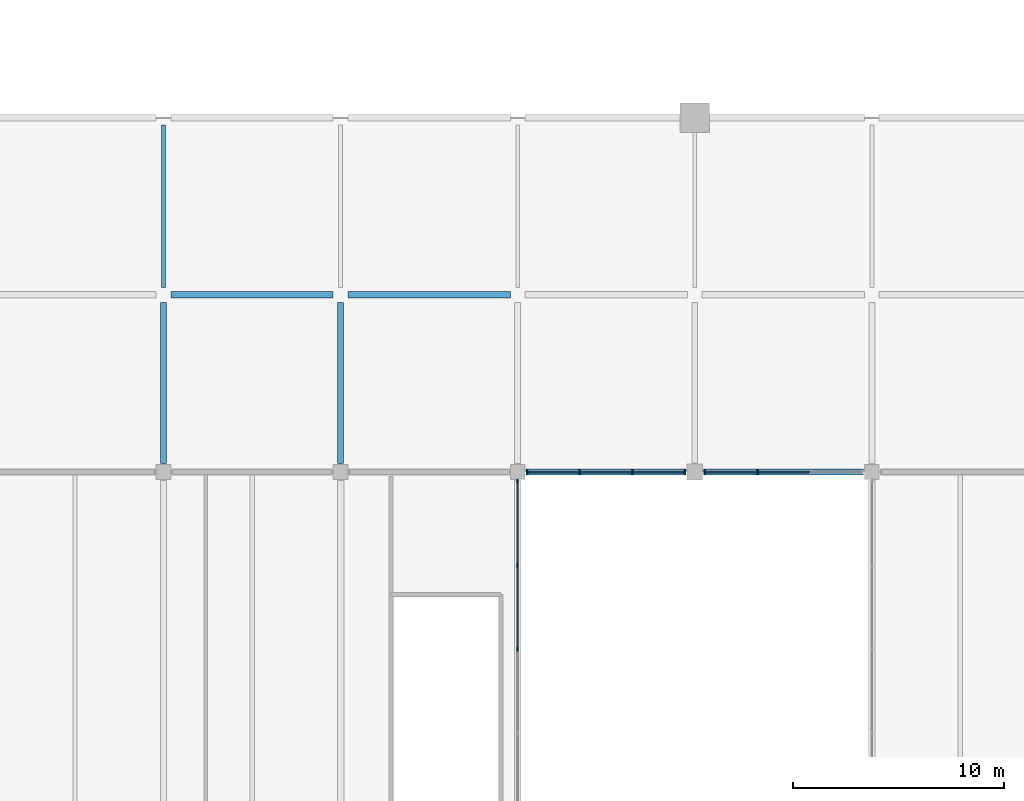
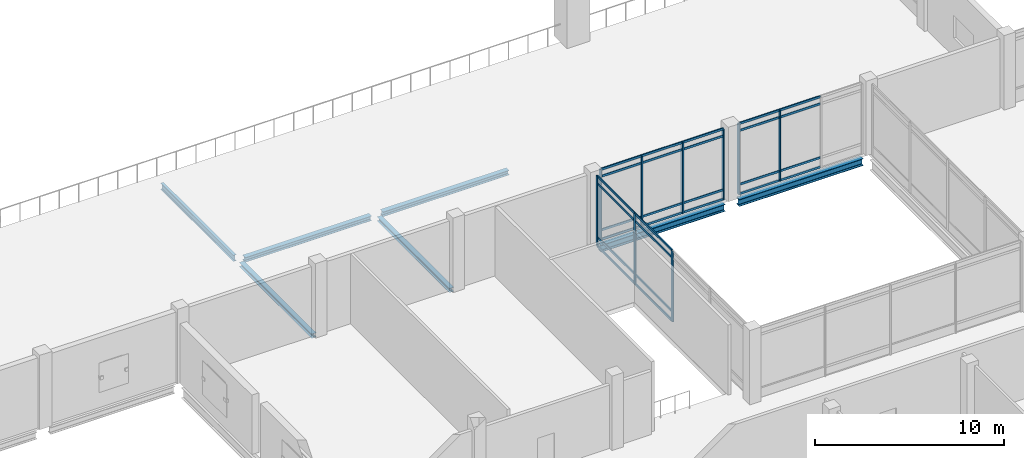
# One storey, part 5 of 110: 37 members, 7 beams, 3 elements without a shape of their own.
"""IFC4 building model written with IfcOpenShell, lengths in metres."""

from ifc_helpers import new_model, si_unit, direction, frame, origin, origin_2d, place, context, subcontext, project, spatial, rectangle, i_section, extrude, material, layer, layer_set, material_profile, profile_set, type_object, element, aggregate, save


model = new_model("IFC4")

# Units and contexts
model_context = context("Model", 3, precision=1e-05, world=origin(), true_north=direction((0.0, 1.0)))
body_context = subcontext(model_context, "Body", "Model", "MODEL_VIEW")
ifc_project = project(units=[si_unit("LENGTHUNIT", "METRE"), si_unit("AREAUNIT", "SQUARE_METRE"), si_unit("VOLUMEUNIT", "CUBIC_METRE"), si_unit("PLANEANGLEUNIT", "RADIAN"), si_unit("MASSUNIT", "GRAM", prefix="KILO")], contexts=[model_context])

# Site, building, storey
site_placement = place(None, origin())
site = spatial("IfcSite", under=ifc_project, at=site_placement, CompositionType="ELEMENT")
building_placement = place(site_placement, origin())
building = spatial("IfcBuilding", under=site, at=building_placement, Name="Qawsi Khor Wholesale Market", CompositionType="ELEMENT")
storey_placement = place(building_placement, frame((0.0, 0.0, 11.39990234375)))
storey = spatial("IfcBuildingStorey", under=building, at=storey_placement, Name="L02", CompositionType="ELEMENT", Elevation=11.39990234375)

# Curtain wall, members
ifc_material_1 = material(Name="Aluminium Anodised Bronze", Category="aluminium")
ifc_layer = layer(ifc_material_1, 0.179931640625, Name="Aluminium Anodised Bronze")
ifc_layer_set = layer_set([ifc_layer], Name="Aluminium Anodised Bronze")
curtain_wall_type = type_object("IfcCurtainWallType", Name="Atrium Full-Height Curtain Wall CW-02", PredefinedType="NOTDEFINED", material=ifc_layer_set)
curtain_wall_1_placement = place(storey_placement, origin())
curtain_wall_1 = element("IfcCurtainWall", 1, at=curtain_wall_1_placement, inside=storey, type_object=curtain_wall_type, Name="Curtain wall CW-CW-02-L02-022", PredefinedType="NOTDEFINED")
ifc_material_profile_1 = material_profile(ifc_material_1, rectangle(XDim=0.070068359375, YDim=0.199951171875, at=origin_2d()), Name="ALU MULLION 70x200")
ifc_profile_set_1 = profile_set([ifc_material_profile_1], Name="Aluminium Anodised Bronze")
member_type_1 = type_object("IfcMemberType", Name="Curtain Wall Mullion CW-02 ALU MULLION 70x200", PredefinedType="MULLION", material=ifc_profile_set_1)
member_1_placement = place(storey_placement, frame((50.844970703125, 42.0, -0.02001953125), z_axis=(0.0, 0.0, 1.0), x_axis=(1.0, 0.0, 0.0)))
member_1 = element("IfcMember", 2, at=member_1_placement, type_object=member_type_1, Name="Mullion CW-CW-02-L02-022-M00", PredefinedType="MULLION", context=body_context, shape_type="SweptSolid", body=[
    extrude(rectangle(XDim=0.070068359375, YDim=0.199951171875, at=origin_2d()), origin(), (0.0, 0.0, 1.0), 4.5400390625),
])
member_2_placement = place(storey_placement, frame((53.340087890625, 42.0, -0.02001953125), z_axis=(0.0, 0.0, 1.0), x_axis=(1.0, 0.0, 0.0)))
member_2 = element("IfcMember", 3, at=member_2_placement, type_object=member_type_1, Name="Mullion CW-CW-02-L02-022-M01", PredefinedType="MULLION", context=body_context, shape_type="SweptSolid", body=[
    extrude(rectangle(XDim=0.070068359375, YDim=0.199951171875, at=origin_2d()), origin(), (0.0, 0.0, 1.0), 4.5400390625),
])
member_3_placement = place(storey_placement, frame((55.8349609375, 42.0, -0.02001953125), z_axis=(0.0, 0.0, 1.0), x_axis=(1.0, 0.0, 0.0)))
member_3 = element("IfcMember", 4, at=member_3_placement, type_object=member_type_1, Name="Mullion CW-CW-02-L02-022-M02", PredefinedType="MULLION", context=body_context, shape_type="SweptSolid", body=[
    extrude(rectangle(XDim=0.070068359375, YDim=0.199951171875, at=origin_2d()), origin(), (0.0, 0.0, 1.0), 4.5400390625),
])
member_4_placement = place(storey_placement, frame((58.330078125, 42.0, -0.02001953125), z_axis=(0.0, 0.0, 1.0), x_axis=(1.0, 0.0, 0.0)))
member_4 = element("IfcMember", 5, at=member_4_placement, type_object=member_type_1, Name="Mullion CW-CW-02-L02-022-M03", PredefinedType="MULLION", context=body_context, shape_type="SweptSolid", body=[
    extrude(rectangle(XDim=0.070068359375, YDim=0.199951171875, at=origin_2d()), origin(), (0.0, 0.0, 1.0), 4.5400390625),
])

curtain_wall_2_placement = place(storey_placement, origin())
curtain_wall_2 = element("IfcCurtainWall", 6, at=curtain_wall_2_placement, inside=storey, type_object=curtain_wall_type, Name="Curtain wall CW-CW-02-L02-023", PredefinedType="NOTDEFINED")
member_5_placement = place(storey_placement, frame((59.27001953125, 42.0, -0.02001953125), z_axis=(0.0, 0.0, 1.0), x_axis=(1.0, 0.0, 0.0)))
member_5 = element("IfcMember", 7, at=member_5_placement, type_object=member_type_1, Name="Mullion CW-CW-02-L02-023-M00", PredefinedType="MULLION", context=body_context, shape_type="SweptSolid", body=[
    extrude(rectangle(XDim=0.070068359375, YDim=0.199951171875, at=origin_2d()), origin(), (0.0, 0.0, 1.0), 4.5400390625),
])
member_6_placement = place(storey_placement, frame((61.764892578125, 42.0, -0.02001953125), z_axis=(0.0, 0.0, 1.0), x_axis=(1.0, 0.0, 0.0)))
member_6 = element("IfcMember", 8, at=member_6_placement, type_object=member_type_1, Name="Mullion CW-CW-02-L02-023-M01", PredefinedType="MULLION", context=body_context, shape_type="SweptSolid", body=[
    extrude(rectangle(XDim=0.070068359375, YDim=0.199951171875, at=origin_2d()), origin(), (0.0, 0.0, 1.0), 4.5400390625),
])

curtain_wall_3_placement = place(storey_placement, origin())
curtain_wall_3 = element("IfcCurtainWall", 9, at=curtain_wall_3_placement, inside=storey, type_object=curtain_wall_type, Name="Curtain wall CW-CW-02-L02-024", PredefinedType="NOTDEFINED")
member_7_placement = place(storey_placement, frame((50.39990234375, 33.60009765625, -0.02001953125), z_axis=(0.0, 0.0, 1.0), x_axis=(1.0, 0.0, 0.0)))
member_7 = element("IfcMember", 10, at=member_7_placement, type_object=member_type_1, Name="Mullion CW-CW-02-L02-024-M02", PredefinedType="MULLION", context=body_context, shape_type="SweptSolid", body=[
    extrude(rectangle(XDim=0.070068359375, YDim=0.199951171875, at=origin_2d()), origin(), (0.0, 0.0, 1.0), 4.5400390625),
])
member_8_placement = place(storey_placement, frame((50.39990234375, 37.577392578125, -0.02001953125), z_axis=(0.0, 0.0, 1.0), x_axis=(1.0, 0.0, 0.0)))
member_8 = element("IfcMember", 11, at=member_8_placement, type_object=member_type_1, Name="Mullion CW-CW-02-L02-024-M03", PredefinedType="MULLION", context=body_context, shape_type="SweptSolid", body=[
    extrude(rectangle(XDim=0.070068359375, YDim=0.199951171875, at=origin_2d()), origin(), (0.0, 0.0, 1.0), 4.5400390625),
])
member_9_placement = place(storey_placement, frame((50.39990234375, 41.554931640625, -0.02001953125), z_axis=(0.0, 0.0, 1.0), x_axis=(1.0, 0.0, 0.0)))
member_9 = element("IfcMember", 12, at=member_9_placement, type_object=member_type_1, Name="Mullion CW-CW-02-L02-024-M04", PredefinedType="MULLION", context=body_context, shape_type="SweptSolid", body=[
    extrude(rectangle(XDim=0.070068359375, YDim=0.199951171875, at=origin_2d()), origin(), (0.0, 0.0, 1.0), 4.5400390625),
])

# Member
ifc_material_profile_2 = material_profile(ifc_material_1, rectangle(XDim=0.06494140625, YDim=0.139892578125, at=origin_2d()), Name="ALU TRANSOM 65x140")
ifc_profile_set_2 = profile_set([ifc_material_profile_2], Name="Aluminium Anodised Bronze")
member_type_2 = type_object("IfcMemberType", Name="Curtain Wall Transom CW-02 ALU TRANSOM 65x140", PredefinedType="USERDEFINED", material=ifc_profile_set_2)
member_10_placement = place(storey_placement, frame((50.844970703125, 42.0, 0.0), z_axis=(1.0, 0.0, 0.0), x_axis=(0.0, 1.0, 0.0)))
member_10 = element("IfcMember", 13, at=member_10_placement, type_object=member_type_2, Name="Transom CW-CW-02-L02-022-T0_00", ObjectType="TRANSOM", PredefinedType="USERDEFINED", context=body_context, shape_type="SweptSolid", body=[
    extrude(rectangle(XDim=0.06494140625, YDim=0.139892578125, at=origin_2d()), origin(), (0.0, 0.0, 1.0), 2.4951171875),
])

member_11_placement = place(storey_placement, frame((53.340087890625, 42.0, 0.0), z_axis=(1.0, 0.0, 0.0), x_axis=(0.0, 1.0, 0.0)))
member_11 = element("IfcMember", 14, at=member_11_placement, type_object=member_type_2, Name="Transom CW-CW-02-L02-022-T0_01", ObjectType="TRANSOM", PredefinedType="USERDEFINED", context=body_context, shape_type="SweptSolid", body=[
    extrude(rectangle(XDim=0.06494140625, YDim=0.139892578125, at=origin_2d()), origin(), (0.0, 0.0, 1.0), 2.494873046875),
])

member_12_placement = place(storey_placement, frame((55.8349609375, 42.0, 0.0), z_axis=(1.0, 0.0, 0.0), x_axis=(0.0, 1.0, 0.0)))
member_12 = element("IfcMember", 15, at=member_12_placement, type_object=member_type_2, Name="Transom CW-CW-02-L02-022-T0_02", ObjectType="TRANSOM", PredefinedType="USERDEFINED", context=body_context, shape_type="SweptSolid", body=[
    extrude(rectangle(XDim=0.06494140625, YDim=0.139892578125, at=origin_2d()), origin(), (0.0, 0.0, 1.0), 2.4951171875),
])

member_13_placement = place(storey_placement, frame((50.844970703125, 42.0, 0.60009765625), z_axis=(1.0, 0.0, 0.0), x_axis=(0.0, 1.0, 0.0)))
member_13 = element("IfcMember", 16, at=member_13_placement, type_object=member_type_2, Name="Transom CW-CW-02-L02-022-T1_00", ObjectType="TRANSOM", PredefinedType="USERDEFINED", context=body_context, shape_type="SweptSolid", body=[
    extrude(rectangle(XDim=0.06494140625, YDim=0.139892578125, at=origin_2d()), origin(), (0.0, 0.0, 1.0), 2.4951171875),
])

member_14_placement = place(storey_placement, frame((53.340087890625, 42.0, 0.60009765625), z_axis=(1.0, 0.0, 0.0), x_axis=(0.0, 1.0, 0.0)))
member_14 = element("IfcMember", 17, at=member_14_placement, type_object=member_type_2, Name="Transom CW-CW-02-L02-022-T1_01", ObjectType="TRANSOM", PredefinedType="USERDEFINED", context=body_context, shape_type="SweptSolid", body=[
    extrude(rectangle(XDim=0.06494140625, YDim=0.139892578125, at=origin_2d()), origin(), (0.0, 0.0, 1.0), 2.494873046875),
])

member_15_placement = place(storey_placement, frame((55.8349609375, 42.0, 0.60009765625), z_axis=(1.0, 0.0, 0.0), x_axis=(0.0, 1.0, 0.0)))
member_15 = element("IfcMember", 18, at=member_15_placement, type_object=member_type_2, Name="Transom CW-CW-02-L02-022-T1_02", ObjectType="TRANSOM", PredefinedType="USERDEFINED", context=body_context, shape_type="SweptSolid", body=[
    extrude(rectangle(XDim=0.06494140625, YDim=0.139892578125, at=origin_2d()), origin(), (0.0, 0.0, 1.0), 2.4951171875),
])

member_16_placement = place(storey_placement, frame((50.844970703125, 42.0, 4.070068359375), z_axis=(1.0, 0.0, 0.0), x_axis=(0.0, 1.0, 0.0)))
member_16 = element("IfcMember", 19, at=member_16_placement, type_object=member_type_2, Name="Transom CW-CW-02-L02-022-T2_00", ObjectType="TRANSOM", PredefinedType="USERDEFINED", context=body_context, shape_type="SweptSolid", body=[
    extrude(rectangle(XDim=0.06494140625, YDim=0.139892578125, at=origin_2d()), origin(), (0.0, 0.0, 1.0), 2.4951171875),
])

member_17_placement = place(storey_placement, frame((53.340087890625, 42.0, 4.070068359375), z_axis=(1.0, 0.0, 0.0), x_axis=(0.0, 1.0, 0.0)))
member_17 = element("IfcMember", 20, at=member_17_placement, type_object=member_type_2, Name="Transom CW-CW-02-L02-022-T2_01", ObjectType="TRANSOM", PredefinedType="USERDEFINED", context=body_context, shape_type="SweptSolid", body=[
    extrude(rectangle(XDim=0.06494140625, YDim=0.139892578125, at=origin_2d()), origin(), (0.0, 0.0, 1.0), 2.494873046875),
])

member_18_placement = place(storey_placement, frame((55.8349609375, 42.0, 4.070068359375), z_axis=(1.0, 0.0, 0.0), x_axis=(0.0, 1.0, 0.0)))
member_18 = element("IfcMember", 21, at=member_18_placement, type_object=member_type_2, Name="Transom CW-CW-02-L02-022-T2_02", ObjectType="TRANSOM", PredefinedType="USERDEFINED", context=body_context, shape_type="SweptSolid", body=[
    extrude(rectangle(XDim=0.06494140625, YDim=0.139892578125, at=origin_2d()), origin(), (0.0, 0.0, 1.0), 2.4951171875),
])

member_19_placement = place(storey_placement, frame((50.844970703125, 42.0, 4.52001953125), z_axis=(1.0, 0.0, 0.0), x_axis=(0.0, 1.0, 0.0)))
member_19 = element("IfcMember", 22, at=member_19_placement, type_object=member_type_2, Name="Transom CW-CW-02-L02-022-T3_00", ObjectType="TRANSOM", PredefinedType="USERDEFINED", context=body_context, shape_type="SweptSolid", body=[
    extrude(rectangle(XDim=0.06494140625, YDim=0.139892578125, at=origin_2d()), origin(), (0.0, 0.0, 1.0), 2.4951171875),
])

member_20_placement = place(storey_placement, frame((53.340087890625, 42.0, 4.52001953125), z_axis=(1.0, 0.0, 0.0), x_axis=(0.0, 1.0, 0.0)))
member_20 = element("IfcMember", 23, at=member_20_placement, type_object=member_type_2, Name="Transom CW-CW-02-L02-022-T3_01", ObjectType="TRANSOM", PredefinedType="USERDEFINED", context=body_context, shape_type="SweptSolid", body=[
    extrude(rectangle(XDim=0.06494140625, YDim=0.139892578125, at=origin_2d()), origin(), (0.0, 0.0, 1.0), 2.494873046875),
])

member_21_placement = place(storey_placement, frame((55.8349609375, 42.0, 4.52001953125), z_axis=(1.0, 0.0, 0.0), x_axis=(0.0, 1.0, 0.0)))
member_21 = element("IfcMember", 24, at=member_21_placement, type_object=member_type_2, Name="Transom CW-CW-02-L02-022-T3_02", ObjectType="TRANSOM", PredefinedType="USERDEFINED", context=body_context, shape_type="SweptSolid", body=[
    extrude(rectangle(XDim=0.06494140625, YDim=0.139892578125, at=origin_2d()), origin(), (0.0, 0.0, 1.0), 2.4951171875),
])

aggregate(curtain_wall_1, [member_1, member_2, member_3, member_4, member_10, member_11, member_12, member_13, member_14, member_15, member_16, member_17, member_18, member_19, member_20, member_21])

member_22_placement = place(storey_placement, frame((59.27001953125, 42.0, 0.0), z_axis=(1.0, 0.0, 0.0), x_axis=(0.0, 1.0, 0.0)))
member_22 = element("IfcMember", 25, at=member_22_placement, type_object=member_type_2, Name="Transom CW-CW-02-L02-023-T0_00", ObjectType="TRANSOM", PredefinedType="USERDEFINED", context=body_context, shape_type="SweptSolid", body=[
    extrude(rectangle(XDim=0.06494140625, YDim=0.139892578125, at=origin_2d()), origin(), (0.0, 0.0, 1.0), 2.494873046875),
])

member_23_placement = place(storey_placement, frame((61.764892578125, 42.0, 0.0), z_axis=(1.0, 0.0, 0.0), x_axis=(0.0, 1.0, 0.0)))
member_23 = element("IfcMember", 26, at=member_23_placement, type_object=member_type_2, Name="Transom CW-CW-02-L02-023-T0_01", ObjectType="TRANSOM", PredefinedType="USERDEFINED", context=body_context, shape_type="SweptSolid", body=[
    extrude(rectangle(XDim=0.06494140625, YDim=0.139892578125, at=origin_2d()), origin(), (0.0, 0.0, 1.0), 2.4951171875),
])

member_24_placement = place(storey_placement, frame((59.27001953125, 42.0, 0.60009765625), z_axis=(1.0, 0.0, 0.0), x_axis=(0.0, 1.0, 0.0)))
member_24 = element("IfcMember", 27, at=member_24_placement, type_object=member_type_2, Name="Transom CW-CW-02-L02-023-T1_00", ObjectType="TRANSOM", PredefinedType="USERDEFINED", context=body_context, shape_type="SweptSolid", body=[
    extrude(rectangle(XDim=0.06494140625, YDim=0.139892578125, at=origin_2d()), origin(), (0.0, 0.0, 1.0), 2.494873046875),
])

member_25_placement = place(storey_placement, frame((61.764892578125, 42.0, 0.60009765625), z_axis=(1.0, 0.0, 0.0), x_axis=(0.0, 1.0, 0.0)))
member_25 = element("IfcMember", 28, at=member_25_placement, type_object=member_type_2, Name="Transom CW-CW-02-L02-023-T1_01", ObjectType="TRANSOM", PredefinedType="USERDEFINED", context=body_context, shape_type="SweptSolid", body=[
    extrude(rectangle(XDim=0.06494140625, YDim=0.139892578125, at=origin_2d()), origin(), (0.0, 0.0, 1.0), 2.4951171875),
])

member_26_placement = place(storey_placement, frame((59.27001953125, 42.0, 4.070068359375), z_axis=(1.0, 0.0, 0.0), x_axis=(0.0, 1.0, 0.0)))
member_26 = element("IfcMember", 29, at=member_26_placement, type_object=member_type_2, Name="Transom CW-CW-02-L02-023-T2_00", ObjectType="TRANSOM", PredefinedType="USERDEFINED", context=body_context, shape_type="SweptSolid", body=[
    extrude(rectangle(XDim=0.06494140625, YDim=0.139892578125, at=origin_2d()), origin(), (0.0, 0.0, 1.0), 2.494873046875),
])

member_27_placement = place(storey_placement, frame((61.764892578125, 42.0, 4.070068359375), z_axis=(1.0, 0.0, 0.0), x_axis=(0.0, 1.0, 0.0)))
member_27 = element("IfcMember", 30, at=member_27_placement, type_object=member_type_2, Name="Transom CW-CW-02-L02-023-T2_01", ObjectType="TRANSOM", PredefinedType="USERDEFINED", context=body_context, shape_type="SweptSolid", body=[
    extrude(rectangle(XDim=0.06494140625, YDim=0.139892578125, at=origin_2d()), origin(), (0.0, 0.0, 1.0), 2.4951171875),
])

member_28_placement = place(storey_placement, frame((59.27001953125, 42.0, 4.52001953125), z_axis=(1.0, 0.0, 0.0), x_axis=(0.0, 1.0, 0.0)))
member_28 = element("IfcMember", 31, at=member_28_placement, type_object=member_type_2, Name="Transom CW-CW-02-L02-023-T3_00", ObjectType="TRANSOM", PredefinedType="USERDEFINED", context=body_context, shape_type="SweptSolid", body=[
    extrude(rectangle(XDim=0.06494140625, YDim=0.139892578125, at=origin_2d()), origin(), (0.0, 0.0, 1.0), 2.494873046875),
])

member_29_placement = place(storey_placement, frame((61.764892578125, 42.0, 4.52001953125), z_axis=(1.0, 0.0, 0.0), x_axis=(0.0, 1.0, 0.0)))
member_29 = element("IfcMember", 32, at=member_29_placement, type_object=member_type_2, Name="Transom CW-CW-02-L02-023-T3_01", ObjectType="TRANSOM", PredefinedType="USERDEFINED", context=body_context, shape_type="SweptSolid", body=[
    extrude(rectangle(XDim=0.06494140625, YDim=0.139892578125, at=origin_2d()), origin(), (0.0, 0.0, 1.0), 2.4951171875),
])

aggregate(curtain_wall_2, [member_5, member_6, member_22, member_23, member_24, member_25, member_26, member_27, member_28, member_29])

member_30_placement = place(storey_placement, frame((50.39990234375, 33.60009765625, 0.0), z_axis=(0.0, 1.0, 0.0), x_axis=(-1.0, 0.0, 0.0)))
member_30 = element("IfcMember", 33, at=member_30_placement, type_object=member_type_2, Name="Transom CW-CW-02-L02-024-T0_02", ObjectType="TRANSOM", PredefinedType="USERDEFINED", context=body_context, shape_type="SweptSolid", body=[
    extrude(rectangle(XDim=0.06494140625, YDim=0.139892578125, at=origin_2d()), origin(), (0.0, 0.0, 1.0), 3.977294921875),
])

member_31_placement = place(storey_placement, frame((50.39990234375, 37.577392578125, 0.0), z_axis=(0.0, 1.0, 0.0), x_axis=(-1.0, 0.0, 0.0)))
member_31 = element("IfcMember", 34, at=member_31_placement, type_object=member_type_2, Name="Transom CW-CW-02-L02-024-T0_03", ObjectType="TRANSOM", PredefinedType="USERDEFINED", context=body_context, shape_type="SweptSolid", body=[
    extrude(rectangle(XDim=0.06494140625, YDim=0.139892578125, at=origin_2d()), origin(), (0.0, 0.0, 1.0), 3.9775390625),
])

member_32_placement = place(storey_placement, frame((50.39990234375, 33.60009765625, 0.60009765625), z_axis=(0.0, 1.0, 0.0), x_axis=(-1.0, 0.0, 0.0)))
member_32 = element("IfcMember", 35, at=member_32_placement, type_object=member_type_2, Name="Transom CW-CW-02-L02-024-T1_02", ObjectType="TRANSOM", PredefinedType="USERDEFINED", context=body_context, shape_type="SweptSolid", body=[
    extrude(rectangle(XDim=0.06494140625, YDim=0.139892578125, at=origin_2d()), origin(), (0.0, 0.0, 1.0), 3.977294921875),
])

member_33_placement = place(storey_placement, frame((50.39990234375, 37.577392578125, 0.60009765625), z_axis=(0.0, 1.0, 0.0), x_axis=(-1.0, 0.0, 0.0)))
member_33 = element("IfcMember", 36, at=member_33_placement, type_object=member_type_2, Name="Transom CW-CW-02-L02-024-T1_03", ObjectType="TRANSOM", PredefinedType="USERDEFINED", context=body_context, shape_type="SweptSolid", body=[
    extrude(rectangle(XDim=0.06494140625, YDim=0.139892578125, at=origin_2d()), origin(), (0.0, 0.0, 1.0), 3.9775390625),
])

member_34_placement = place(storey_placement, frame((50.39990234375, 33.60009765625, 4.070068359375), z_axis=(0.0, 1.0, 0.0), x_axis=(-1.0, 0.0, 0.0)))
member_34 = element("IfcMember", 37, at=member_34_placement, type_object=member_type_2, Name="Transom CW-CW-02-L02-024-T2_02", ObjectType="TRANSOM", PredefinedType="USERDEFINED", context=body_context, shape_type="SweptSolid", body=[
    extrude(rectangle(XDim=0.06494140625, YDim=0.139892578125, at=origin_2d()), origin(), (0.0, 0.0, 1.0), 3.977294921875),
])

member_35_placement = place(storey_placement, frame((50.39990234375, 37.577392578125, 4.070068359375), z_axis=(0.0, 1.0, 0.0), x_axis=(-1.0, 0.0, 0.0)))
member_35 = element("IfcMember", 38, at=member_35_placement, type_object=member_type_2, Name="Transom CW-CW-02-L02-024-T2_03", ObjectType="TRANSOM", PredefinedType="USERDEFINED", context=body_context, shape_type="SweptSolid", body=[
    extrude(rectangle(XDim=0.06494140625, YDim=0.139892578125, at=origin_2d()), origin(), (0.0, 0.0, 1.0), 3.9775390625),
])

member_36_placement = place(storey_placement, frame((50.39990234375, 33.60009765625, 4.52001953125), z_axis=(0.0, 1.0, 0.0), x_axis=(-1.0, 0.0, 0.0)))
member_36 = element("IfcMember", 39, at=member_36_placement, type_object=member_type_2, Name="Transom CW-CW-02-L02-024-T3_02", ObjectType="TRANSOM", PredefinedType="USERDEFINED", context=body_context, shape_type="SweptSolid", body=[
    extrude(rectangle(XDim=0.06494140625, YDim=0.139892578125, at=origin_2d()), origin(), (0.0, 0.0, 1.0), 3.977294921875),
])

member_37_placement = place(storey_placement, frame((50.39990234375, 37.577392578125, 4.52001953125), z_axis=(0.0, 1.0, 0.0), x_axis=(-1.0, 0.0, 0.0)))
member_37 = element("IfcMember", 40, at=member_37_placement, type_object=member_type_2, Name="Transom CW-CW-02-L02-024-T3_03", ObjectType="TRANSOM", PredefinedType="USERDEFINED", context=body_context, shape_type="SweptSolid", body=[
    extrude(rectangle(XDim=0.06494140625, YDim=0.139892578125, at=origin_2d()), origin(), (0.0, 0.0, 1.0), 3.9775390625),
])

aggregate(curtain_wall_3, [member_7, member_8, member_9, member_30, member_31, member_32, member_33, member_34, member_35, member_36, member_37])

# Beams
ifc_material_2 = material(Name="Steel S355", Category="steel")
ifc_material_profile_3 = material_profile(ifc_material_2, i_section(OverallWidth=0.300048828125, OverallDepth=0.449951171875, WebThickness=0.013916015625, FlangeThickness=0.02587890625, FilletRadius=0.027099609375, at=origin_2d()), Name="HEB 450")
ifc_profile_set_3 = profile_set([ifc_material_profile_3], Name="Steel S355")
beam_type_1 = type_object("IfcBeamType", Name="Heavy Edge Girder HEB 450", PredefinedType="BEAM", material=ifc_profile_set_3)
for number, where, z_axis, x_axis, name in (
    (41, (50.800048828125, 42.0, -0.5048828125), (1.0, 0.0, 0.0), (0.0, 1.0, 0.0), "BM-X-L02-06_+05"),
    (42, (59.22509765625, 42.0, -0.5048828125), (1.0, 0.0, 0.0), (0.0, 1.0, 0.0), "BM-X-L02-07_+05"),
):
    element("IfcBeam", number, at=place(storey_placement, frame(where, z_axis=z_axis, x_axis=x_axis)), inside=storey, type_object=beam_type_1, Name=name, PredefinedType="BEAM", context=body_context, shape_type="SweptSolid", body=[
        extrude(i_section(OverallWidth=0.300048828125, OverallDepth=0.449951171875, WebThickness=0.013916015625, FlangeThickness=0.02587890625, FilletRadius=0.027099609375, at=origin_2d()), origin(), (0.0, 0.0, 1.0), 7.574951171875),
    ])
ifc_material_profile_4 = material_profile(ifc_material_2, i_section(OverallWidth=0.280029296875, OverallDepth=0.27001953125, WebThickness=0.008056640625, FlangeThickness=0.012939453125, FilletRadius=0.02392578125, at=origin_2d()), Name="HEA 280")
ifc_profile_set_4 = profile_set([ifc_material_profile_4], Name="Steel S355")
beam_type_2 = type_object("IfcBeamType", Name="Primary Girder HEA 280", PredefinedType="BEAM", material=ifc_profile_set_4)
for number, where, z_axis, x_axis, name in (
    (43, (33.60009765625, 42.39990234375, -0.40478515625), (0.0, 1.0, 0.0), (-1.0, 0.0, 0.0), "BM-Y-L02-04_+05"),
    (44, (42.0, 42.39990234375, -0.40478515625), (0.0, 1.0, 0.0), (-1.0, 0.0, 0.0), "BM-Y-L02-05_+05"),
):
    element("IfcBeam", number, at=place(storey_placement, frame(where, z_axis=z_axis, x_axis=x_axis)), inside=storey, type_object=beam_type_2, Name=name, PredefinedType="BEAM", context=body_context, shape_type="SweptSolid", body=[
        extrude(i_section(OverallWidth=0.280029296875, OverallDepth=0.27001953125, WebThickness=0.008056640625, FlangeThickness=0.012939453125, FilletRadius=0.02392578125, at=origin_2d()), origin(), (0.0, 0.0, 1.0), 7.650146484375),
    ])
ifc_material_profile_5 = material_profile(ifc_material_2, i_section(OverallWidth=0.179931640625, OverallDepth=0.39990234375, WebThickness=0.008544921875, FlangeThickness=0.013427734375, FilletRadius=0.02099609375, at=origin_2d()), Name="IPE 400")
ifc_profile_set_5 = profile_set([ifc_material_profile_5], Name="Steel S355")
beam_type_3 = type_object("IfcBeamType", Name="Secondary Beam IPE 400", PredefinedType="BEAM", material=ifc_profile_set_5)
beam_placement = place(storey_placement, frame((33.60009765625, 50.75, -0.469970703125), z_axis=(0.0, 1.0, 0.0), x_axis=(-1.0, 0.0, 0.0)))
element("IfcBeam", 45, at=beam_placement, inside=storey, type_object=beam_type_3, Name="BM-Y-L02-04_+06", PredefinedType="BEAM", context=body_context, shape_type="SweptSolid", body=[
    extrude(i_section(OverallWidth=0.179931640625, OverallDepth=0.39990234375, WebThickness=0.008544921875, FlangeThickness=0.013427734375, FilletRadius=0.02099609375, at=origin_2d()), origin(), (0.0, 0.0, 1.0), 7.699951171875),
])
ifc_material_profile_6 = material_profile(ifc_material_2, i_section(OverallWidth=0.300048828125, OverallDepth=0.300048828125, WebThickness=0.010986328125, FlangeThickness=0.01904296875, FilletRadius=0.027099609375, at=origin_2d()), Name="HEB 300")
ifc_profile_set_6 = profile_set([ifc_material_profile_6], Name="Steel S355")
beam_type_4 = type_object("IfcBeamType", Name="Tie Beam HEB 300", PredefinedType="BEAM", material=ifc_profile_set_6)
for number, where, z_axis, x_axis, name in (
    (46, (33.949951171875, 50.39990234375, -0.419921875), (1.0, 0.0, 0.0), (0.0, 1.0, 0.0), "BM-X-L02-04_+06"),
    (47, (42.35009765625, 50.39990234375, -0.419921875), (1.0, 0.0, 0.0), (0.0, 1.0, 0.0), "BM-X-L02-05_+06"),
):
    element("IfcBeam", number, at=place(storey_placement, frame(where, z_axis=z_axis, x_axis=x_axis)), inside=storey, type_object=beam_type_4, Name=name, PredefinedType="BEAM", context=body_context, shape_type="SweptSolid", body=[
        extrude(i_section(OverallWidth=0.300048828125, OverallDepth=0.300048828125, WebThickness=0.010986328125, FlangeThickness=0.01904296875, FilletRadius=0.027099609375, at=origin_2d()), origin(), (0.0, 0.0, 1.0), 7.699951171875),
    ])

save(model, "model.ifc")
